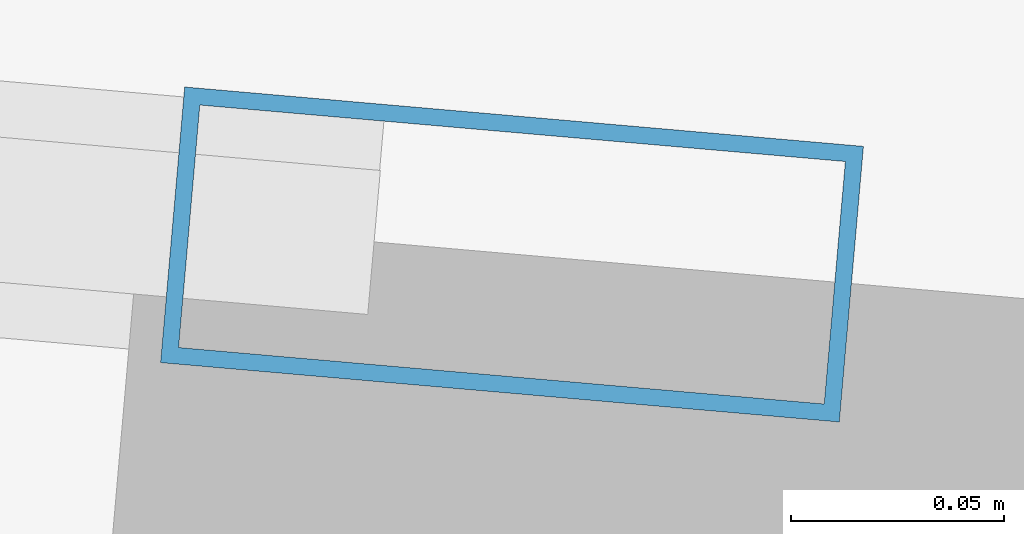
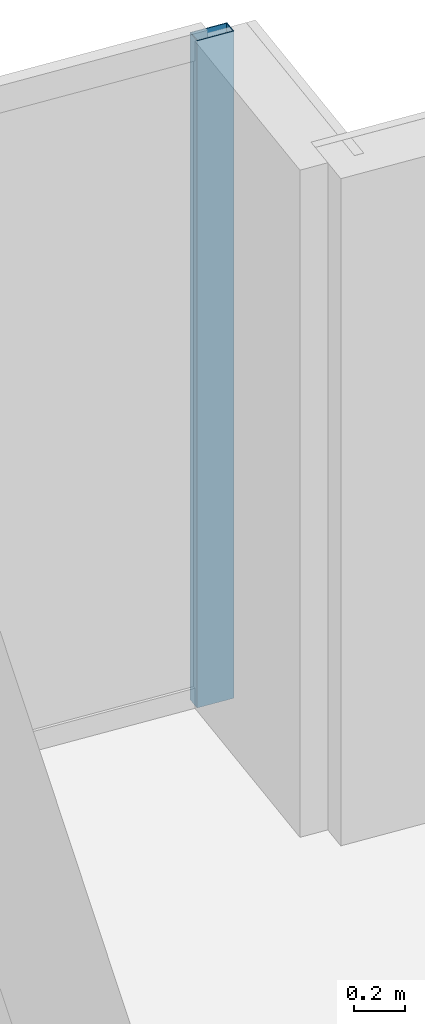
# One storey, part 22 of 32: 1 member, 1 element without a shape of its own.
"""IFC4 building model written with IfcOpenShell, lengths in metres."""

import ifcopenshell
import ifcopenshell.guid

model = None  # the IFC model being written
_history = None  # IfcOwnerHistory: only IFC2X3 demands one
_inside = {}  # id of a spatial element -> (the spatial element, [elements in it])
_under = {}  # id of a project, library or spatial element -> (it, [spatial elements below it])
_declared = {}  # id of a project -> (the project, [libraries it declares])
_typed = {}  # id of a type object -> (the type object, [elements of that type])
_made_of = {}  # id of a material, layer set ... -> (it, [elements and type objects made of it])


def new_model(schema):
    """Start an empty IFC model of exactly this schema.

    Asked for "IFC4X3", IfcOpenShell would pick the latest addendum, in which some entities
    have other attributes; the version numbers below select the first issue.
    IFC2X3 requires an IfcOwnerHistory on every rooted entity: one is made here for all.
    """
    global model, _history
    if schema == "IFC4X3":
        model = ifcopenshell.file(schema_version=(4, 3, 0, 0))
    else:
        model = ifcopenshell.file(schema=schema)
    _inside.clear()
    _under.clear()
    _declared.clear()
    _typed.clear()
    _made_of.clear()
    _history = None
    if model.schema == "IFC2X3":
        org = make("IfcOrganization", Name="unknown")
        user = make(
            "IfcPersonAndOrganization",
            ThePerson=make("IfcPerson", FamilyName="unknown"),
            TheOrganization=org,
        )
        app = make(
            "IfcApplication",
            ApplicationDeveloper=org,
            Version="unknown",
            ApplicationFullName="unknown",
            ApplicationIdentifier="unknown",
        )
        _history = make(
            "IfcOwnerHistory",
            OwningUser=user,
            OwningApplication=app,
            ChangeAction="ADDED",
            CreationDate=0,
        )
    return model


def make(cls, **values):
    """One entity of the class cls with the attributes given. An attribute that is None is left unset."""
    return model.create_entity(
        cls, **{name: value for name, value in values.items() if value is not None}
    )


def rooted(cls, **values):
    """An entity with a GlobalId (a new one), such as an element, a storey or a relation."""
    return make(cls, GlobalId=ifcopenshell.guid.new(), OwnerHistory=_history, **values)


def si_unit(unit_type, name, prefix=None):
    """IfcSIUnit, for example si_unit("LENGTHUNIT", "METRE", prefix="MILLI")."""
    return make("IfcSIUnit", UnitType=unit_type, Prefix=prefix, Name=name)


def assignment(units):
    """IfcUnitAssignment: the units of a project."""
    return None if units is None else make("IfcUnitAssignment", Units=units)


def point(xyz):
    """IfcCartesianPoint."""
    return None if xyz is None else make("IfcCartesianPoint", Coordinates=xyz)


def direction(xyz):
    """IfcDirection."""
    return None if xyz is None else make("IfcDirection", DirectionRatios=xyz)


def frame(location, z_axis=None, x_axis=None):
    """IfcAxis2Placement3D, a coordinate frame: its origin and axes. An axis left out is left unset."""
    return make(
        "IfcAxis2Placement3D",
        Location=point(location),
        Axis=direction(z_axis),
        RefDirection=direction(x_axis),
    )


def frame_2d(location, x_axis=None):
    """IfcAxis2Placement2D, a coordinate frame in the plane: its origin and x axis."""
    return make(
        "IfcAxis2Placement2D", Location=point(location), RefDirection=direction(x_axis)
    )


def origin():
    """The frame at (0, 0, 0) with its axes left unset."""
    return frame((0.0, 0.0, 0.0))


def origin_2d():
    """The frame at (0, 0) in the plane with its x axis left unset."""
    return frame_2d((0.0, 0.0))


def place(relative_to, where):
    """IfcLocalPlacement: puts the frame where relative to a parent placement (None: the world)."""
    return make(
        "IfcLocalPlacement", PlacementRelTo=relative_to, RelativePlacement=where
    )


def context(
    kind, dimensions, precision=None, world=None, true_north=None, identifier=None
):
    """IfcGeometricRepresentationContext, for example the 3D "Model" context."""
    return make(
        "IfcGeometricRepresentationContext",
        ContextIdentifier=identifier,
        ContextType=kind,
        CoordinateSpaceDimension=dimensions,
        Precision=precision,
        WorldCoordinateSystem=world,
        TrueNorth=true_north,
    )


def subcontext(parent, identifier, kind, view, scale=None):
    """IfcGeometricRepresentationSubContext, for example "Body" below "Model"."""
    return make(
        "IfcGeometricRepresentationSubContext",
        ContextIdentifier=identifier,
        ContextType=kind,
        ParentContext=parent,
        TargetScale=scale,
        TargetView=view,
    )


def project(units=None, contexts=None):
    """IfcProject with its units and contexts."""
    return rooted(
        "IfcProject",
        Name="project",
        RepresentationContexts=contexts,
        UnitsInContext=assignment(units),
    )


def spatial(cls, under=None, at=None, **own):
    """A site, building, storey or space (cls), placed at a placement, below another one or the project."""
    s = rooted(cls, ObjectPlacement=at, **own)
    if under is not None:
        _under.setdefault(under.id(), (under, []))[1].append(s)
    return s


def profile(cls, at=None, kind="AREA", **sizes):
    """A parametric profile (cls). Its sizes go by their IFC names, for example OverallWidth=200.0."""
    return make(cls, ProfileType=kind, Position=at, **sizes)


def hollow_rectangle(**sizes):
    """IfcRectangleHollowProfileDef."""
    return profile("IfcRectangleHollowProfileDef", **sizes)


def extrude(swept, where, along, depth):
    """IfcExtrudedAreaSolid: the profile swept, set in the frame where, extruded along a direction by depth."""
    return make(
        "IfcExtrudedAreaSolid",
        SweptArea=swept,
        Position=where,
        ExtrudedDirection=direction(along),
        Depth=depth,
    )


def shape(context_of_items, identifier, shape_type, items):
    """IfcShapeRepresentation: the items that make up one representation, for example the "Body"."""
    return make(
        "IfcShapeRepresentation",
        ContextOfItems=context_of_items,
        RepresentationIdentifier=identifier,
        RepresentationType=shape_type,
        Items=items,
    )


def material(Name=None, Category=None):
    """IfcMaterial."""
    return make("IfcMaterial", Name=Name, Category=Category)


def material_profile(
    of_material, cross_section, Name=None, Category=None, Priority=None
):
    """IfcMaterialProfile: a cross section and its material."""
    return make(
        "IfcMaterialProfile",
        Name=Name,
        Material=of_material,
        Profile=cross_section,
        Priority=Priority,
        Category=Category,
    )


def profile_set(profiles, Name=None, composite=None):
    """IfcMaterialProfileSet."""
    return make(
        "IfcMaterialProfileSet",
        Name=Name,
        MaterialProfiles=profiles,
        CompositeProfile=composite,
    )


def made_of(thing, what):
    """Note that an element or type object is made of a material, layer set ...; save() writes the relation."""
    if what is not None:
        _made_of.setdefault(what.id(), (what, []))[1].append(thing)
    return thing


def type_object(cls, material=None, **own):
    """A type object (cls), such as IfcWallType, which elements share."""
    return made_of(rooted(cls, **own), material)


def element(
    cls,
    number,
    at=None,
    inside=None,
    cuts=None,
    type_object=None,
    material=None,
    context=None,
    identifier="Body",
    shape_type=None,
    held_by="IfcProductDefinitionShape",
    body=None,
    shapes=None,
    **own,
):
    """One element of the class cls, such as IfcWall. Its Tag is "e" and its number.

    at: its placement. inside: the storey or other place that contains it. cuts: it is an
    opening in that element (IfcRelVoidsElement). A single representation is given by context,
    identifier, shape_type and body (its items); several are given by shapes. held_by: the class
    of the entity that holds the representations. save() writes the other relations.
    """
    e = rooted(cls, Tag="e%d" % number, ObjectPlacement=at, **own)
    if body is not None:
        shapes = [shape(context, identifier, shape_type, body)]
    if shapes is not None:
        e.Representation = make(held_by, Representations=shapes)
    if inside is not None:
        _inside.setdefault(inside.id(), (inside, []))[1].append(e)
    if cuts is not None:
        rooted(
            "IfcRelVoidsElement", RelatingBuildingElement=cuts, RelatedOpeningElement=e
        )
    if type_object is not None:
        _typed.setdefault(type_object.id(), (type_object, []))[1].append(e)
    return made_of(e, material)


def aggregate(whole, parts):
    """IfcRelAggregates: a whole, such as a stair, and the parts it consists of."""
    return rooted("IfcRelAggregates", RelatingObject=whole, RelatedObjects=parts)


def save(model, path):
    """Write the relations noted so far, then the file.

    IfcRelAggregates (storeys below a building ...), IfcRelContainedInSpatialStructure (elements
    in a storey), IfcRelDefinesByType, IfcRelAssociatesMaterial and IfcRelDeclares: one each for
    every whole, place, type object, material and project.
    """
    for whole, parts in _under.values():
        aggregate(whole, parts)
    for where, things in _inside.values():
        rooted(
            "IfcRelContainedInSpatialStructure",
            RelatedElements=things,
            RelatingStructure=where,
        )
    for kind, things in _typed.values():
        rooted("IfcRelDefinesByType", RelatedObjects=things, RelatingType=kind)
    for what, things in _made_of.values():
        rooted("IfcRelAssociatesMaterial", RelatedObjects=things, RelatingMaterial=what)
    for by, libraries in _declared.values():
        rooted("IfcRelDeclares", RelatingContext=by, RelatedDefinitions=libraries)
    model.write(path)


model = new_model("IFC4")

# Units and contexts
model_context = context("Model", 3, precision=1e-05, world=origin(), true_north=direction((0.0, 1.0)))
body_context = subcontext(model_context, "Body", "Model", "MODEL_VIEW")
ifc_project = project(units=[si_unit("LENGTHUNIT", "METRE"), si_unit("AREAUNIT", "SQUARE_METRE"), si_unit("VOLUMEUNIT", "CUBIC_METRE"), si_unit("PLANEANGLEUNIT", "RADIAN"), si_unit("MASSUNIT", "GRAM", prefix="KILO")], contexts=[model_context])

# Site, building, storey
site_placement = place(None, origin())
site = spatial("IfcSite", under=ifc_project, at=site_placement, CompositionType="ELEMENT")
building_placement = place(site_placement, origin())
building = spatial("IfcBuilding", under=site, at=building_placement, Name="Yelkora Congress Tower", CompositionType="ELEMENT")
storey_placement = place(building_placement, frame((0.0, 0.0, 272.699951171875)))
storey = spatial("IfcBuildingStorey", under=building, at=storey_placement, Name="L76", CompositionType="ELEMENT", Elevation=272.699951171875)

# Curtain wall, member
ifc_material_1 = material(Name="Anodised aluminium and insulated glass", Category="aluminium")
curtain_wall_type = type_object("IfcCurtainWallType", Name="CW-SYS-B5", PredefinedType="NOTDEFINED", material=ifc_material_1)
curtain_wall_placement = place(storey_placement, origin())
curtain_wall = element("IfcCurtainWall", 1, at=curtain_wall_placement, inside=storey, type_object=curtain_wall_type, Name="L76 Unitised Curtain Wall 10", PredefinedType="NOTDEFINED")
ifc_material_2 = material(Name="Anodised aluminium 6063-T6", Category="aluminium")
ifc_material_profile = material_profile(ifc_material_2, hollow_rectangle(XDim=0.06494140625, YDim=0.159912109375, WallThickness=0.00390625, at=origin_2d()), Name="ALU 65x160x4")
ifc_profile_set = profile_set([ifc_material_profile], Name="Anodised aluminium 6063-T6")
member_type = type_object("IfcMemberType", Name="MEM-ML-B5", PredefinedType="MULLION", material=ifc_profile_set)
member_placement = place(storey_placement, frame((55.753662109375, 46.44580078125, 0.0), z_axis=(0.0, 0.0, 1.0), x_axis=(0.087156639893, 0.996194619601, 0.0)))
member = element("IfcMember", 2, at=member_placement, type_object=member_type, Name="CW-B5 mullion 8", PredefinedType="MULLION", context=body_context, shape_type="SweptSolid", body=[
    extrude(hollow_rectangle(XDim=0.06494140625, YDim=0.159912109375, WallThickness=0.00390625, at=origin_2d()), origin(), (0.0, 0.0, 1.0), 3.179931640625),
])
aggregate(curtain_wall, [member])

save(model, "model.ifc")
